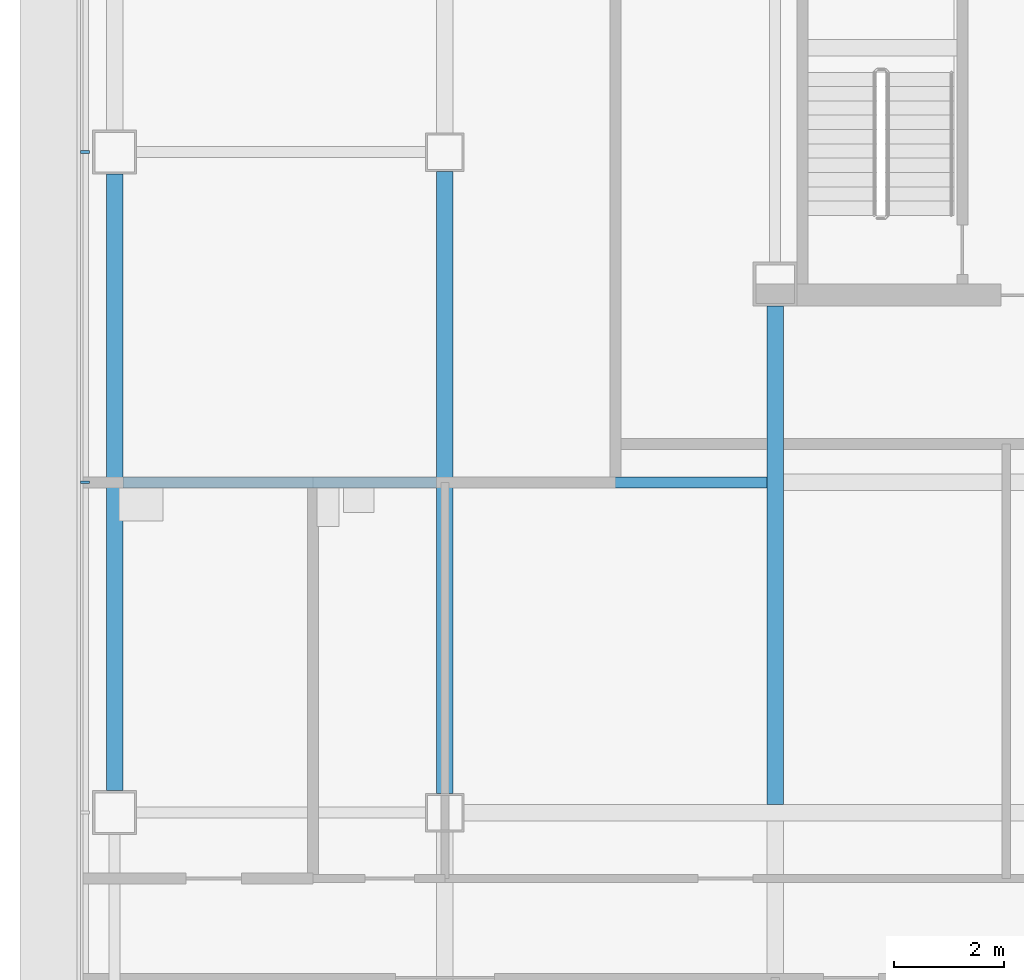
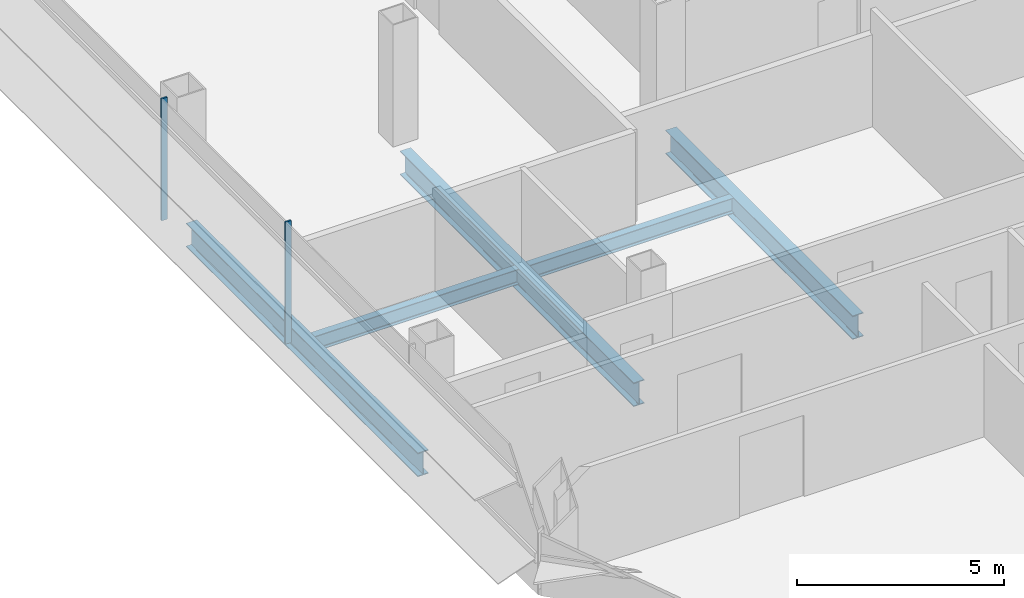
# One storey, part 4 of 26: 5 beams, 2 members, 1 element without a shape of its own.
"""IFC4 building model written with IfcOpenShell, lengths in metres."""

from ifc_helpers import new_model, si_unit, direction, frame, origin, origin_2d, place, context, subcontext, project, spatial, rectangle, i_section, extrude, material, material_profile, profile_set, type_object, element, aggregate, save


model = new_model("IFC4")

# Units and contexts
model_context = context("Model", 3, precision=1e-05, world=origin(), true_north=direction((0.0, 1.0)))
body_context = subcontext(model_context, "Body", "Model", "MODEL_VIEW")
ifc_project = project(units=[si_unit("LENGTHUNIT", "METRE"), si_unit("AREAUNIT", "SQUARE_METRE"), si_unit("VOLUMEUNIT", "CUBIC_METRE"), si_unit("PLANEANGLEUNIT", "RADIAN"), si_unit("MASSUNIT", "GRAM", prefix="KILO")], contexts=[model_context])

# Site, building, storey
site_placement = place(None, origin())
site = spatial("IfcSite", under=ifc_project, at=site_placement, CompositionType="ELEMENT")
building_placement = place(site_placement, origin())
building = spatial("IfcBuilding", under=site, at=building_placement, Name="Sorahane Residences", CompositionType="ELEMENT")
storey_placement = place(building_placement, frame((0.0, 0.0, 103.39990234375)))
storey = spatial("IfcBuildingStorey", under=building, at=storey_placement, Name="L22", CompositionType="ELEMENT", Elevation=103.39990234375)

# Curtain wall, members
ifc_material_1 = material(Name="Dark low-e glass and black anodised aluminium", Category="aluminium")
curtain_wall_type = type_object("IfcCurtainWallType", Name="Curtain wall CW-1 Typical unitised wall", PredefinedType="NOTDEFINED", material=ifc_material_1)
curtain_wall_placement = place(storey_placement, origin())
curtain_wall = element("IfcCurtainWall", 1, at=curtain_wall_placement, inside=storey, type_object=curtain_wall_type, Name="CW-1 curtain wall L22 W2", PredefinedType="NOTDEFINED")
ifc_material_2 = material(Name="Black anodised aluminium", Category="aluminium")
ifc_material_profile_1 = material_profile(ifc_material_2, rectangle(XDim=0.159912109375, YDim=0.050048828125, at=origin_2d()), Name="Curtain wall mullion CW-1 black anodised aluminium 50x160")
ifc_profile_set_1 = profile_set([ifc_material_profile_1], Name="Black anodised aluminium")
member_type = type_object("IfcMemberType", Name="Curtain wall mullion CW-1 black anodised aluminium 50x160", PredefinedType="MULLION", material=ifc_profile_set_1)
member_1_placement = place(storey_placement, frame((-6.5400390625, 24.0, -0.179931640625), z_axis=(0.0, 0.0, 1.0), x_axis=(-1.0, 0.0, 0.0)))
member_1 = element("IfcMember", 2, at=member_1_placement, type_object=member_type, Name="CW-1 mullion L22 W2.4", PredefinedType="MULLION", context=body_context, shape_type="SweptSolid", body=[
    extrude(rectangle(XDim=0.159912109375, YDim=0.050048828125, at=origin_2d()), origin(), (0.0, 0.0, 1.0), 3.60009765625),
])
member_2_placement = place(storey_placement, frame((-6.5400390625, 18.0, -0.179931640625), z_axis=(0.0, 0.0, 1.0), x_axis=(-1.0, 0.0, 0.0)))
member_2 = element("IfcMember", 3, at=member_2_placement, type_object=member_type, Name="CW-1 mullion L22 W2.5", PredefinedType="MULLION", context=body_context, shape_type="SweptSolid", body=[
    extrude(rectangle(XDim=0.159912109375, YDim=0.050048828125, at=origin_2d()), origin(), (0.0, 0.0, 1.0), 3.60009765625),
])
aggregate(curtain_wall, [member_1, member_2])

# Beams
ifc_material_3 = material(Name="Steel Q355B", Category="steel")
ifc_material_profile_2 = material_profile(ifc_material_3, i_section(OverallWidth=0.199951171875, OverallDepth=0.449951171875, WebThickness=0.009033203125, FlangeThickness=0.013916015625, FilletRadius=0.02001953125, at=origin_2d()), Name="HN 450x200x9x14")
ifc_profile_set_2 = profile_set([ifc_material_profile_2], Name="Steel Q355B")
beam_type_1 = type_object("IfcBeamType", Name="Steel floor beam HN 450x200x9x14 Q355B", PredefinedType="BEAM", material=ifc_profile_set_2)
for number, where, z_axis, x_axis, name in (
    (4, (-5.85009765625, 18.0, -0.40478515625), (1.0, 0.0, 0.0), (0.0, 1.0, 0.0), "Beam L22 073"),
    (5, (0.14990234375, 18.0, -0.40478515625), (1.0, 0.0, 0.0), (0.0, 1.0, 0.0), "Beam L22 074"),
):
    element("IfcBeam", number, at=place(storey_placement, frame(where, z_axis=z_axis, x_axis=x_axis)), inside=storey, type_object=beam_type_1, Name=name, PredefinedType="BEAM", context=body_context, shape_type="SweptSolid", body=[
        extrude(i_section(OverallWidth=0.199951171875, OverallDepth=0.449951171875, WebThickness=0.009033203125, FlangeThickness=0.013916015625, FilletRadius=0.02001953125, at=origin_2d()), origin(), (0.0, 0.0, 1.0), 5.7001953125),
    ])
ifc_material_4 = material(Name="Steel Q355B", Category="steel")
ifc_material_profile_3 = material_profile(ifc_material_4, i_section(OverallWidth=0.300048828125, OverallDepth=0.699951171875, WebThickness=0.012939453125, FlangeThickness=0.02392578125, FilletRadius=0.028076171875, at=origin_2d()), Name="HN 700x300x13x24")
ifc_profile_set_3 = profile_set([ifc_material_profile_3], Name="Steel Q355B")
beam_type_2 = type_object("IfcBeamType", Name="Steel floor beam HN 700x300x13x24 Q355B", PredefinedType="BEAM", material=ifc_profile_set_3)
beam_1_placement = place(storey_placement, frame((-6.0, 12.39990234375, -0.52978515625), z_axis=(0.0, 1.0, 0.0), x_axis=(-1.0, 0.0, 0.0)))
element("IfcBeam", 6, at=beam_1_placement, inside=storey, type_object=beam_type_2, Name="Beam L22 020", PredefinedType="BEAM", context=body_context, shape_type="SweptSolid", body=[
    extrude(i_section(OverallWidth=0.300048828125, OverallDepth=0.699951171875, WebThickness=0.012939453125, FlangeThickness=0.02392578125, FilletRadius=0.028076171875, at=origin_2d()), origin(), (0.0, 0.0, 1.0), 11.2001953125),
])
beam_2_placement = place(storey_placement, frame((0.0, 12.35009765625, -0.52978515625), z_axis=(0.0, 1.0, 0.0), x_axis=(-1.0, 0.0, 0.0)))
element("IfcBeam", 7, at=beam_2_placement, inside=storey, type_object=beam_type_2, Name="Beam L22 024", PredefinedType="BEAM", context=body_context, shape_type="SweptSolid", body=[
    extrude(i_section(OverallWidth=0.300048828125, OverallDepth=0.699951171875, WebThickness=0.012939453125, FlangeThickness=0.02392578125, FilletRadius=0.028076171875, at=origin_2d()), origin(), (0.0, 0.0, 1.0), 11.2998046875),
])
beam_3_placement = place(storey_placement, frame((6.0, 12.14990234375, -0.52978515625), z_axis=(0.0, 1.0, 0.0), x_axis=(-1.0, 0.0, 0.0)))
element("IfcBeam", 8, at=beam_3_placement, inside=storey, type_object=beam_type_2, Name="Beam L22 028", PredefinedType="BEAM", context=body_context, shape_type="SweptSolid", body=[
    extrude(i_section(OverallWidth=0.300048828125, OverallDepth=0.699951171875, WebThickness=0.012939453125, FlangeThickness=0.02392578125, FilletRadius=0.028076171875, at=origin_2d()), origin(), (0.0, 0.0, 1.0), 9.050048828125),
])

save(model, "model.ifc")
